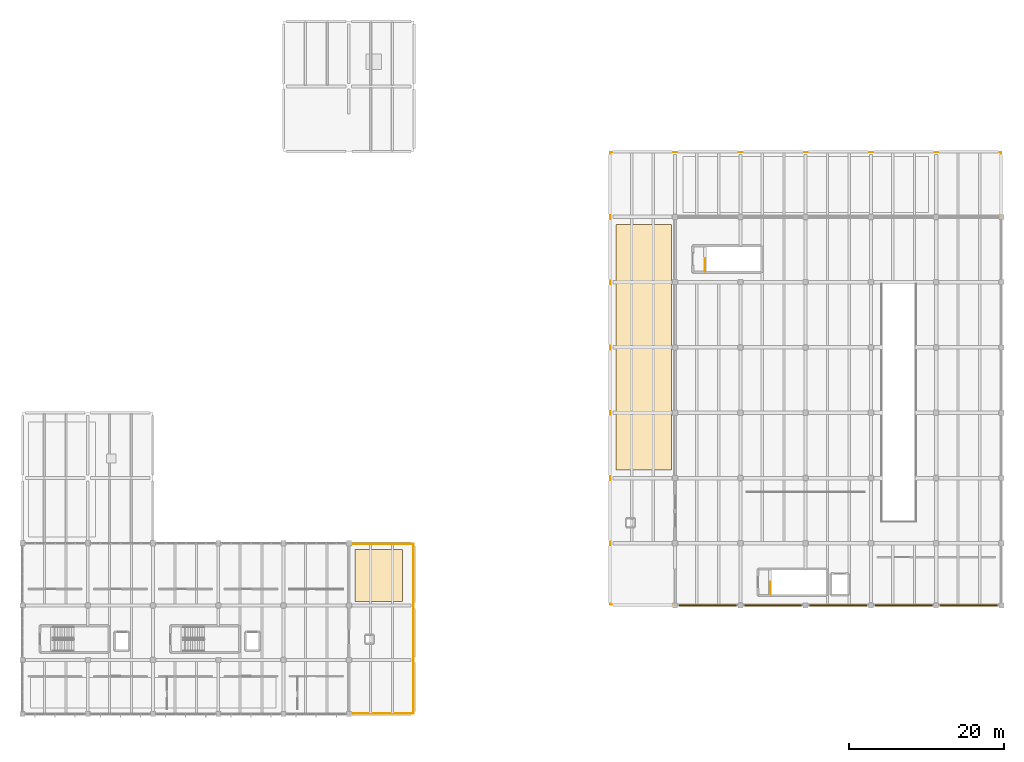
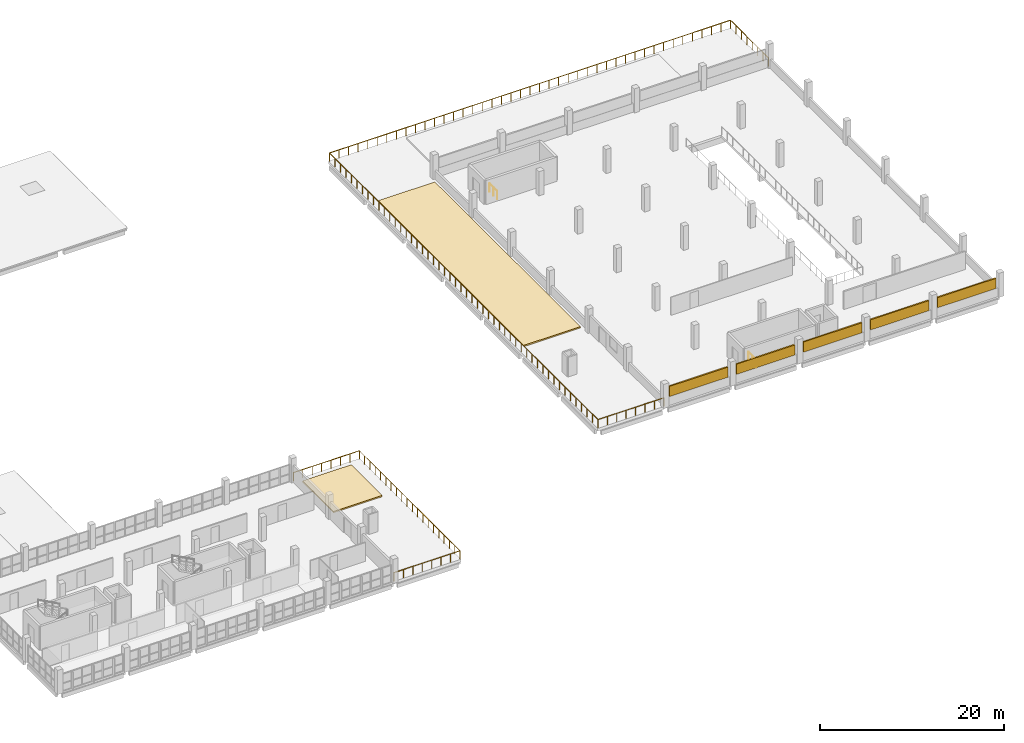
# One storey, part 32 of 33: 5 shading devices, 4 railings, 2 coverings.
"""IFC4 building model written with IfcOpenShell, lengths in metres."""

from ifc_helpers import new_model, si_unit, direction, frame, origin, origin_2d, place, context, subcontext, project, spatial, polyline, rectangle, circle, outline, extrude, material, layer, layer_set, type_object, element, save


model = new_model("IFC4")

# Units and contexts
model_context = context("Model", 3, precision=1e-05, world=origin(), true_north=direction((0.0, 1.0)))
body_context = subcontext(model_context, "Body", "Model", "MODEL_VIEW")
ifc_project = project(units=[si_unit("LENGTHUNIT", "METRE"), si_unit("AREAUNIT", "SQUARE_METRE"), si_unit("VOLUMEUNIT", "CUBIC_METRE"), si_unit("PLANEANGLEUNIT", "RADIAN"), si_unit("MASSUNIT", "GRAM", prefix="KILO"), si_unit("THERMODYNAMICTEMPERATUREUNIT", "KELVIN"), si_unit("POWERUNIT", "WATT")], contexts=[model_context])

# Site, building, storey
site_placement = place(None, origin())
site = spatial("IfcSite", under=ifc_project, at=site_placement, CompositionType="ELEMENT")
building_placement = place(site_placement, origin())
building = spatial("IfcBuilding", under=site, at=building_placement, Name="Mavoryth Pier Ferry Terminal", CompositionType="ELEMENT")
storey_placement = place(building_placement, frame((0.0, 0.0, 13.1201171875)))
storey = spatial("IfcBuildingStorey", under=building, at=storey_placement, Name="L03", CompositionType="ELEMENT", Elevation=13.1201171875)

# Railings
ifc_material_1 = material(Name="Painted Galvanised Steel Balustrade", Category="steel")
railing_type_1 = type_object("IfcRailingType", Name="Guard-Stair-Steel1100", PredefinedType="GUARDRAIL", material=ifc_material_1)
railing_1_placement = place(storey_placement, frame((138.25, 15.39990234375, 0.0)))
element("IfcRailing", 1, at=railing_1_placement, inside=storey, type_object=railing_type_1, Name="L03 ST09 top well guard 1", PredefinedType="GUARDRAIL", context=body_context, shape_type="SweptSolid", body=[
    extrude(circle(Radius=0.02392578125, at=origin_2d()), frame((0.0, 0.0, 1.076171875), z_axis=(0.0, 1.0, 0.0), x_axis=(-1.0, 0.0, 0.0)), (0.0, 0.0, 1.0), 1.650146484375),
    extrude(circle(Radius=0.02099609375, at=origin_2d()), origin(), (0.0, 0.0, 1.0), 1.052001953125),
    extrude(circle(Radius=0.02099609375, at=origin_2d()), frame((0.0, 0.8251953125, 0.0)), (0.0, 0.0, 1.0), 1.052001953125),
    extrude(circle(Radius=0.02099609375, at=origin_2d()), frame((0.0, 1.650146484375, 0.0)), (0.0, 0.0, 1.0), 1.052001953125),
])
railing_2_placement = place(storey_placement, frame((129.85009765625, 57.0, 0.0)))
element("IfcRailing", 2, at=railing_2_placement, inside=storey, type_object=railing_type_1, Name="L03 ST10 top well guard 1", PredefinedType="GUARDRAIL", context=body_context, shape_type="SweptSolid", body=[
    extrude(circle(Radius=0.02392578125, at=origin_2d()), frame((0.0, 0.0, 1.076171875), z_axis=(0.0, 1.0, 0.0), x_axis=(-1.0, 0.0, 0.0)), (0.0, 0.0, 1.0), 1.64990234375),
    extrude(circle(Radius=0.02099609375, at=origin_2d()), origin(), (0.0, 0.0, 1.0), 1.052001953125),
    extrude(circle(Radius=0.02099609375, at=origin_2d()), frame((0.0, 0.824951171875, 0.0)), (0.0, 0.0, 1.0), 1.052001953125),
    extrude(circle(Radius=0.02099609375, at=origin_2d()), frame((0.0, 1.64990234375, 0.0)), (0.0, 0.0, 1.0), 1.052001953125),
])
ifc_material_2 = material(Name="Stainless Steel and Laminated Glass Guardrail", Category="steel")
railing_type_2 = type_object("IfcRailingType", Name="Guard-Terrace-Glass1120", PredefinedType="GUARDRAIL", material=ifc_material_2)
railing_3_placement = place(storey_placement, frame((125.949951171875, 14.080078125, 0.0)))
element("IfcRailing", 3, at=railing_3_placement, inside=storey, type_object=railing_type_2, Name="Guardrail GRD-L03-007", PredefinedType="GUARDRAIL", context=body_context, shape_type="SweptSolid", body=[
    extrude(circle(Radius=0.02392578125, at=origin_2d()), frame((0.0, 0.0, 1.09619140625), z_axis=(-1.0, 0.0, 0.0), x_axis=(0.0, -1.0, 0.0)), (0.0, 0.0, 1.0), 8.27001953125),
    extrude(circle(Radius=0.02392578125, at=origin_2d()), frame((-8.27001953125, 0.0, 1.09619140625), z_axis=(0.0, 1.0, 0.0), x_axis=(-1.0, 0.0, 0.0)), (0.0, 0.0, 1.0), 58.239990234375),
    extrude(circle(Radius=0.02392578125, at=origin_2d()), frame((-8.27001953125, 58.239990234375, 1.09619140625), z_axis=(1.0, 0.0, 0.0), x_axis=(0.0, 1.0, 0.0)), (0.0, 0.0, 1.0), 50.239990234375),
    extrude(circle(Radius=0.02392578125, at=origin_2d()), frame((41.969970703125, 58.239990234375, 1.09619140625), z_axis=(0.0, -1.0, 0.0), x_axis=(1.0, 0.0, 0.0)), (0.0, 0.0, 1.0), 8.27001953125),
    extrude(circle(Radius=0.02099609375, at=origin_2d()), origin(), (0.0, 0.0, 1.0), 1.072021484375),
    extrude(circle(Radius=0.02099609375, at=origin_2d()), frame((-1.181396484375, 0.0, 0.0)), (0.0, 0.0, 1.0), 1.072021484375),
    extrude(circle(Radius=0.02099609375, at=origin_2d()), frame((-2.36279296875, 0.0, 0.0)), (0.0, 0.0, 1.0), 1.072021484375),
    extrude(circle(Radius=0.02099609375, at=origin_2d()), frame((-3.544189453125, 0.0, 0.0)), (0.0, 0.0, 1.0), 1.072021484375),
    extrude(circle(Radius=0.02099609375, at=origin_2d()), frame((-4.725830078125, 0.0, 0.0)), (0.0, 0.0, 1.0), 1.072021484375),
    extrude(circle(Radius=0.02099609375, at=origin_2d()), frame((-5.9072265625, 0.0, 0.0)), (0.0, 0.0, 1.0), 1.072021484375),
    extrude(circle(Radius=0.02099609375, at=origin_2d()), frame((-7.088623046875, 0.0, 0.0)), (0.0, 0.0, 1.0), 1.072021484375),
    extrude(circle(Radius=0.02099609375, at=origin_2d()), frame((-8.27001953125, 0.0, 0.0)), (0.0, 0.0, 1.0), 1.072021484375),
    extrude(circle(Radius=0.02099609375, at=origin_2d()), frame((-8.27001953125, 1.1884765625, 0.0)), (0.0, 0.0, 1.0), 1.072021484375),
    extrude(circle(Radius=0.02099609375, at=origin_2d()), frame((-8.27001953125, 2.377197265625, 0.0)), (0.0, 0.0, 1.0), 1.072021484375),
    extrude(circle(Radius=0.02099609375, at=origin_2d()), frame((-8.27001953125, 3.565673828125, 0.0)), (0.0, 0.0, 1.0), 1.072021484375),
    extrude(circle(Radius=0.02099609375, at=origin_2d()), frame((-8.27001953125, 4.75439453125, 0.0)), (0.0, 0.0, 1.0), 1.072021484375),
    extrude(circle(Radius=0.02099609375, at=origin_2d()), frame((-8.27001953125, 5.94287109375, 0.0)), (0.0, 0.0, 1.0), 1.072021484375),
    extrude(circle(Radius=0.02099609375, at=origin_2d()), frame((-8.27001953125, 7.13134765625, 0.0)), (0.0, 0.0, 1.0), 1.072021484375),
    extrude(circle(Radius=0.02099609375, at=origin_2d()), frame((-8.27001953125, 8.320068359375, 0.0)), (0.0, 0.0, 1.0), 1.072021484375),
    extrude(circle(Radius=0.02099609375, at=origin_2d()), frame((-8.27001953125, 9.508544921875, 0.0)), (0.0, 0.0, 1.0), 1.072021484375),
    extrude(circle(Radius=0.02099609375, at=origin_2d()), frame((-8.27001953125, 10.697021484375, 0.0)), (0.0, 0.0, 1.0), 1.072021484375),
    extrude(circle(Radius=0.02099609375, at=origin_2d()), frame((-8.27001953125, 11.8857421875, 0.0)), (0.0, 0.0, 1.0), 1.072021484375),
    extrude(circle(Radius=0.02099609375, at=origin_2d()), frame((-8.27001953125, 13.07421875, 0.0)), (0.0, 0.0, 1.0), 1.072021484375),
    extrude(circle(Radius=0.02099609375, at=origin_2d()), frame((-8.27001953125, 14.262939453125, 0.0)), (0.0, 0.0, 1.0), 1.072021484375),
    extrude(circle(Radius=0.02099609375, at=origin_2d()), frame((-8.27001953125, 15.451416015625, 0.0)), (0.0, 0.0, 1.0), 1.072021484375),
    extrude(circle(Radius=0.02099609375, at=origin_2d()), frame((-8.27001953125, 16.639892578125, 0.0)), (0.0, 0.0, 1.0), 1.072021484375),
    extrude(circle(Radius=0.02099609375, at=origin_2d()), frame((-8.27001953125, 17.82861328125, 0.0)), (0.0, 0.0, 1.0), 1.072021484375),
    extrude(circle(Radius=0.02099609375, at=origin_2d()), frame((-8.27001953125, 19.01708984375, 0.0)), (0.0, 0.0, 1.0), 1.072021484375),
    extrude(circle(Radius=0.02099609375, at=origin_2d()), frame((-8.27001953125, 20.205810546875, 0.0)), (0.0, 0.0, 1.0), 1.072021484375),
    extrude(circle(Radius=0.02099609375, at=origin_2d()), frame((-8.27001953125, 21.394287109375, 0.0)), (0.0, 0.0, 1.0), 1.072021484375),
    extrude(circle(Radius=0.02099609375, at=origin_2d()), frame((-8.27001953125, 22.582763671875, 0.0)), (0.0, 0.0, 1.0), 1.072021484375),
    extrude(circle(Radius=0.02099609375, at=origin_2d()), frame((-8.27001953125, 23.771484375, 0.0)), (0.0, 0.0, 1.0), 1.072021484375),
    extrude(circle(Radius=0.02099609375, at=origin_2d()), frame((-8.27001953125, 24.9599609375, 0.0)), (0.0, 0.0, 1.0), 1.072021484375),
    extrude(circle(Radius=0.02099609375, at=origin_2d()), frame((-8.27001953125, 26.148681640625, 0.0)), (0.0, 0.0, 1.0), 1.072021484375),
    extrude(circle(Radius=0.02099609375, at=origin_2d()), frame((-8.27001953125, 27.337158203125, 0.0)), (0.0, 0.0, 1.0), 1.072021484375),
    extrude(circle(Radius=0.02099609375, at=origin_2d()), frame((-8.27001953125, 28.525634765625, 0.0)), (0.0, 0.0, 1.0), 1.072021484375),
    extrude(circle(Radius=0.02099609375, at=origin_2d()), frame((-8.27001953125, 29.71435546875, 0.0)), (0.0, 0.0, 1.0), 1.072021484375),
    extrude(circle(Radius=0.02099609375, at=origin_2d()), frame((-8.27001953125, 30.90283203125, 0.0)), (0.0, 0.0, 1.0), 1.072021484375),
    extrude(circle(Radius=0.02099609375, at=origin_2d()), frame((-8.27001953125, 32.09130859375, 0.0)), (0.0, 0.0, 1.0), 1.072021484375),
    extrude(circle(Radius=0.02099609375, at=origin_2d()), frame((-8.27001953125, 33.280029296875, 0.0)), (0.0, 0.0, 1.0), 1.072021484375),
    extrude(circle(Radius=0.02099609375, at=origin_2d()), frame((-8.27001953125, 34.468505859375, 0.0)), (0.0, 0.0, 1.0), 1.072021484375),
    extrude(circle(Radius=0.02099609375, at=origin_2d()), frame((-8.27001953125, 35.6572265625, 0.0)), (0.0, 0.0, 1.0), 1.072021484375),
    extrude(circle(Radius=0.02099609375, at=origin_2d()), frame((-8.27001953125, 36.845703125, 0.0)), (0.0, 0.0, 1.0), 1.072021484375),
    extrude(circle(Radius=0.02099609375, at=origin_2d()), frame((-8.27001953125, 38.0341796875, 0.0)), (0.0, 0.0, 1.0), 1.072021484375),
    extrude(circle(Radius=0.02099609375, at=origin_2d()), frame((-8.27001953125, 39.222900390625, 0.0)), (0.0, 0.0, 1.0), 1.072021484375),
    extrude(circle(Radius=0.02099609375, at=origin_2d()), frame((-8.27001953125, 40.411376953125, 0.0)), (0.0, 0.0, 1.0), 1.072021484375),
    extrude(circle(Radius=0.02099609375, at=origin_2d()), frame((-8.27001953125, 41.60009765625, 0.0)), (0.0, 0.0, 1.0), 1.072021484375),
    extrude(circle(Radius=0.02099609375, at=origin_2d()), frame((-8.27001953125, 42.78857421875, 0.0)), (0.0, 0.0, 1.0), 1.072021484375),
    extrude(circle(Radius=0.02099609375, at=origin_2d()), frame((-8.27001953125, 43.97705078125, 0.0)), (0.0, 0.0, 1.0), 1.072021484375),
    extrude(circle(Radius=0.02099609375, at=origin_2d()), frame((-8.27001953125, 45.165771484375, 0.0)), (0.0, 0.0, 1.0), 1.072021484375),
    extrude(circle(Radius=0.02099609375, at=origin_2d()), frame((-8.27001953125, 46.354248046875, 0.0)), (0.0, 0.0, 1.0), 1.072021484375),
    extrude(circle(Radius=0.02099609375, at=origin_2d()), frame((-8.27001953125, 47.54296875, 0.0)), (0.0, 0.0, 1.0), 1.072021484375),
    extrude(circle(Radius=0.02099609375, at=origin_2d()), frame((-8.27001953125, 48.7314453125, 0.0)), (0.0, 0.0, 1.0), 1.072021484375),
    extrude(circle(Radius=0.02099609375, at=origin_2d()), frame((-8.27001953125, 49.919921875, 0.0)), (0.0, 0.0, 1.0), 1.072021484375),
    extrude(circle(Radius=0.02099609375, at=origin_2d()), frame((-8.27001953125, 51.108642578125, 0.0)), (0.0, 0.0, 1.0), 1.072021484375),
    extrude(circle(Radius=0.02099609375, at=origin_2d()), frame((-8.27001953125, 52.297119140625, 0.0)), (0.0, 0.0, 1.0), 1.072021484375),
    extrude(circle(Radius=0.02099609375, at=origin_2d()), frame((-8.27001953125, 53.485595703125, 0.0)), (0.0, 0.0, 1.0), 1.072021484375),
    extrude(circle(Radius=0.02099609375, at=origin_2d()), frame((-8.27001953125, 54.67431640625, 0.0)), (0.0, 0.0, 1.0), 1.072021484375),
    extrude(circle(Radius=0.02099609375, at=origin_2d()), frame((-8.27001953125, 55.86279296875, 0.0)), (0.0, 0.0, 1.0), 1.072021484375),
    extrude(circle(Radius=0.02099609375, at=origin_2d()), frame((-8.27001953125, 57.051513671875, 0.0)), (0.0, 0.0, 1.0), 1.072021484375),
    extrude(circle(Radius=0.02099609375, at=origin_2d()), frame((-8.27001953125, 58.239990234375, 0.0)), (0.0, 0.0, 1.0), 1.072021484375),
    extrude(circle(Radius=0.02099609375, at=origin_2d()), frame((-7.07373046875, 58.239990234375, 0.0)), (0.0, 0.0, 1.0), 1.072021484375),
    extrude(circle(Radius=0.02099609375, at=origin_2d()), frame((-5.877685546875, 58.239990234375, 0.0)), (0.0, 0.0, 1.0), 1.072021484375),
    extrude(circle(Radius=0.02099609375, at=origin_2d()), frame((-4.681396484375, 58.239990234375, 0.0)), (0.0, 0.0, 1.0), 1.072021484375),
    extrude(circle(Radius=0.02099609375, at=origin_2d()), frame((-3.4853515625, 58.239990234375, 0.0)), (0.0, 0.0, 1.0), 1.072021484375),
    extrude(circle(Radius=0.02099609375, at=origin_2d()), frame((-2.2890625, 58.239990234375, 0.0)), (0.0, 0.0, 1.0), 1.072021484375),
    extrude(circle(Radius=0.02099609375, at=origin_2d()), frame((-1.0927734375, 58.239990234375, 0.0)), (0.0, 0.0, 1.0), 1.072021484375),
    extrude(circle(Radius=0.02099609375, at=origin_2d()), frame((0.103271484375, 58.239990234375, 0.0)), (0.0, 0.0, 1.0), 1.072021484375),
    extrude(circle(Radius=0.02099609375, at=origin_2d()), frame((1.299560546875, 58.239990234375, 0.0)), (0.0, 0.0, 1.0), 1.072021484375),
    extrude(circle(Radius=0.02099609375, at=origin_2d()), frame((2.49560546875, 58.239990234375, 0.0)), (0.0, 0.0, 1.0), 1.072021484375),
    extrude(circle(Radius=0.02099609375, at=origin_2d()), frame((3.69189453125, 58.239990234375, 0.0)), (0.0, 0.0, 1.0), 1.072021484375),
    extrude(circle(Radius=0.02099609375, at=origin_2d()), frame((4.88818359375, 58.239990234375, 0.0)), (0.0, 0.0, 1.0), 1.072021484375),
    extrude(circle(Radius=0.02099609375, at=origin_2d()), frame((6.084228515625, 58.239990234375, 0.0)), (0.0, 0.0, 1.0), 1.072021484375),
    extrude(circle(Radius=0.02099609375, at=origin_2d()), frame((7.280517578125, 58.239990234375, 0.0)), (0.0, 0.0, 1.0), 1.072021484375),
    extrude(circle(Radius=0.02099609375, at=origin_2d()), frame((8.4765625, 58.239990234375, 0.0)), (0.0, 0.0, 1.0), 1.072021484375),
    extrude(circle(Radius=0.02099609375, at=origin_2d()), frame((9.6728515625, 58.239990234375, 0.0)), (0.0, 0.0, 1.0), 1.072021484375),
    extrude(circle(Radius=0.02099609375, at=origin_2d()), frame((10.869140625, 58.239990234375, 0.0)), (0.0, 0.0, 1.0), 1.072021484375),
    extrude(circle(Radius=0.02099609375, at=origin_2d()), frame((12.065185546875, 58.239990234375, 0.0)), (0.0, 0.0, 1.0), 1.072021484375),
    extrude(circle(Radius=0.02099609375, at=origin_2d()), frame((13.261474609375, 58.239990234375, 0.0)), (0.0, 0.0, 1.0), 1.072021484375),
    extrude(circle(Radius=0.02099609375, at=origin_2d()), frame((14.45751953125, 58.239990234375, 0.0)), (0.0, 0.0, 1.0), 1.072021484375),
    extrude(circle(Radius=0.02099609375, at=origin_2d()), frame((15.65380859375, 58.239990234375, 0.0)), (0.0, 0.0, 1.0), 1.072021484375),
    extrude(circle(Radius=0.02099609375, at=origin_2d()), frame((16.85009765625, 58.239990234375, 0.0)), (0.0, 0.0, 1.0), 1.072021484375),
    extrude(circle(Radius=0.02099609375, at=origin_2d()), frame((18.046142578125, 58.239990234375, 0.0)), (0.0, 0.0, 1.0), 1.072021484375),
    extrude(circle(Radius=0.02099609375, at=origin_2d()), frame((19.242431640625, 58.239990234375, 0.0)), (0.0, 0.0, 1.0), 1.072021484375),
    extrude(circle(Radius=0.02099609375, at=origin_2d()), frame((20.4384765625, 58.239990234375, 0.0)), (0.0, 0.0, 1.0), 1.072021484375),
    extrude(circle(Radius=0.02099609375, at=origin_2d()), frame((21.634765625, 58.239990234375, 0.0)), (0.0, 0.0, 1.0), 1.072021484375),
    extrude(circle(Radius=0.02099609375, at=origin_2d()), frame((22.830810546875, 58.239990234375, 0.0)), (0.0, 0.0, 1.0), 1.072021484375),
    extrude(circle(Radius=0.02099609375, at=origin_2d()), frame((24.027099609375, 58.239990234375, 0.0)), (0.0, 0.0, 1.0), 1.072021484375),
    extrude(circle(Radius=0.02099609375, at=origin_2d()), frame((25.223388671875, 58.239990234375, 0.0)), (0.0, 0.0, 1.0), 1.072021484375),
    extrude(circle(Radius=0.02099609375, at=origin_2d()), frame((26.41943359375, 58.239990234375, 0.0)), (0.0, 0.0, 1.0), 1.072021484375),
    extrude(circle(Radius=0.02099609375, at=origin_2d()), frame((27.61572265625, 58.239990234375, 0.0)), (0.0, 0.0, 1.0), 1.072021484375),
    extrude(circle(Radius=0.02099609375, at=origin_2d()), frame((28.811767578125, 58.239990234375, 0.0)), (0.0, 0.0, 1.0), 1.072021484375),
    extrude(circle(Radius=0.02099609375, at=origin_2d()), frame((30.008056640625, 58.239990234375, 0.0)), (0.0, 0.0, 1.0), 1.072021484375),
    extrude(circle(Radius=0.02099609375, at=origin_2d()), frame((31.204345703125, 58.239990234375, 0.0)), (0.0, 0.0, 1.0), 1.072021484375),
    extrude(circle(Radius=0.02099609375, at=origin_2d()), frame((32.400390625, 58.239990234375, 0.0)), (0.0, 0.0, 1.0), 1.072021484375),
    extrude(circle(Radius=0.02099609375, at=origin_2d()), frame((33.5966796875, 58.239990234375, 0.0)), (0.0, 0.0, 1.0), 1.072021484375),
    extrude(circle(Radius=0.02099609375, at=origin_2d()), frame((34.792724609375, 58.239990234375, 0.0)), (0.0, 0.0, 1.0), 1.072021484375),
    extrude(circle(Radius=0.02099609375, at=origin_2d()), frame((35.989013671875, 58.239990234375, 0.0)), (0.0, 0.0, 1.0), 1.072021484375),
    extrude(circle(Radius=0.02099609375, at=origin_2d()), frame((37.185302734375, 58.239990234375, 0.0)), (0.0, 0.0, 1.0), 1.072021484375),
    extrude(circle(Radius=0.02099609375, at=origin_2d()), frame((38.38134765625, 58.239990234375, 0.0)), (0.0, 0.0, 1.0), 1.072021484375),
    extrude(circle(Radius=0.02099609375, at=origin_2d()), frame((39.57763671875, 58.239990234375, 0.0)), (0.0, 0.0, 1.0), 1.072021484375),
    extrude(circle(Radius=0.02099609375, at=origin_2d()), frame((40.773681640625, 58.239990234375, 0.0)), (0.0, 0.0, 1.0), 1.072021484375),
    extrude(circle(Radius=0.02099609375, at=origin_2d()), frame((41.969970703125, 58.239990234375, 0.0)), (0.0, 0.0, 1.0), 1.072021484375),
    extrude(circle(Radius=0.02099609375, at=origin_2d()), frame((41.969970703125, 57.05859375, 0.0)), (0.0, 0.0, 1.0), 1.072021484375),
    extrude(circle(Radius=0.02099609375, at=origin_2d()), frame((41.969970703125, 55.877197265625, 0.0)), (0.0, 0.0, 1.0), 1.072021484375),
    extrude(circle(Radius=0.02099609375, at=origin_2d()), frame((41.969970703125, 54.69580078125, 0.0)), (0.0, 0.0, 1.0), 1.072021484375),
    extrude(circle(Radius=0.02099609375, at=origin_2d()), frame((41.969970703125, 53.51416015625, 0.0)), (0.0, 0.0, 1.0), 1.072021484375),
    extrude(circle(Radius=0.02099609375, at=origin_2d()), frame((41.969970703125, 52.332763671875, 0.0)), (0.0, 0.0, 1.0), 1.072021484375),
    extrude(circle(Radius=0.02099609375, at=origin_2d()), frame((41.969970703125, 51.1513671875, 0.0)), (0.0, 0.0, 1.0), 1.072021484375),
    extrude(circle(Radius=0.02099609375, at=origin_2d()), frame((41.969970703125, 49.969970703125, 0.0)), (0.0, 0.0, 1.0), 1.072021484375),
])
railing_4_placement = place(storey_placement, frame((84.050048828125, 0.080078125, 0.0)))
element("IfcRailing", 4, at=railing_4_placement, inside=storey, type_object=railing_type_2, Name="Guardrail GRD-L03-023", PredefinedType="GUARDRAIL", context=body_context, shape_type="SweptSolid", body=[
    extrude(circle(Radius=0.02392578125, at=origin_2d()), frame((0.0, 0.0, 1.09619140625), z_axis=(1.0, 0.0, 0.0), x_axis=(0.0, 1.0, 0.0)), (0.0, 0.0, 1.0), 8.27001953125),
    extrude(circle(Radius=0.02392578125, at=origin_2d()), frame((8.27001953125, 0.0, 1.09619140625), z_axis=(0.0, 1.0, 0.0), x_axis=(-1.0, 0.0, 0.0)), (0.0, 0.0, 1.0), 21.83984375),
    extrude(circle(Radius=0.02392578125, at=origin_2d()), frame((8.27001953125, 21.83984375, 1.09619140625), z_axis=(-1.0, 0.0, 0.0), x_axis=(0.0, -1.0, 0.0)), (0.0, 0.0, 1.0), 8.27001953125),
    extrude(circle(Radius=0.02099609375, at=origin_2d()), origin(), (0.0, 0.0, 1.0), 1.072021484375),
    extrude(circle(Radius=0.02099609375, at=origin_2d()), frame((1.181396484375, 0.0, 0.0)), (0.0, 0.0, 1.0), 1.072021484375),
    extrude(circle(Radius=0.02099609375, at=origin_2d()), frame((2.36279296875, 0.0, 0.0)), (0.0, 0.0, 1.0), 1.072021484375),
    extrude(circle(Radius=0.02099609375, at=origin_2d()), frame((3.544189453125, 0.0, 0.0)), (0.0, 0.0, 1.0), 1.072021484375),
    extrude(circle(Radius=0.02099609375, at=origin_2d()), frame((4.725830078125, 0.0, 0.0)), (0.0, 0.0, 1.0), 1.072021484375),
    extrude(circle(Radius=0.02099609375, at=origin_2d()), frame((5.9072265625, 0.0, 0.0)), (0.0, 0.0, 1.0), 1.072021484375),
    extrude(circle(Radius=0.02099609375, at=origin_2d()), frame((7.088623046875, 0.0, 0.0)), (0.0, 0.0, 1.0), 1.072021484375),
    extrude(circle(Radius=0.02099609375, at=origin_2d()), frame((8.27001953125, 0.0, 0.0)), (0.0, 0.0, 1.0), 1.072021484375),
    extrude(circle(Radius=0.02099609375, at=origin_2d()), frame((8.27001953125, 1.1494140625, 0.0)), (0.0, 0.0, 1.0), 1.072021484375),
    extrude(circle(Radius=0.02099609375, at=origin_2d()), frame((8.27001953125, 2.298828125, 0.0)), (0.0, 0.0, 1.0), 1.072021484375),
    extrude(circle(Radius=0.02099609375, at=origin_2d()), frame((8.27001953125, 3.448486328125, 0.0)), (0.0, 0.0, 1.0), 1.072021484375),
    extrude(circle(Radius=0.02099609375, at=origin_2d()), frame((8.27001953125, 4.597900390625, 0.0)), (0.0, 0.0, 1.0), 1.072021484375),
    extrude(circle(Radius=0.02099609375, at=origin_2d()), frame((8.27001953125, 5.747314453125, 0.0)), (0.0, 0.0, 1.0), 1.072021484375),
    extrude(circle(Radius=0.02099609375, at=origin_2d()), frame((8.27001953125, 6.896728515625, 0.0)), (0.0, 0.0, 1.0), 1.072021484375),
    extrude(circle(Radius=0.02099609375, at=origin_2d()), frame((8.27001953125, 8.046142578125, 0.0)), (0.0, 0.0, 1.0), 1.072021484375),
    extrude(circle(Radius=0.02099609375, at=origin_2d()), frame((8.27001953125, 9.19580078125, 0.0)), (0.0, 0.0, 1.0), 1.072021484375),
    extrude(circle(Radius=0.02099609375, at=origin_2d()), frame((8.27001953125, 10.34521484375, 0.0)), (0.0, 0.0, 1.0), 1.072021484375),
    extrude(circle(Radius=0.02099609375, at=origin_2d()), frame((8.27001953125, 11.49462890625, 0.0)), (0.0, 0.0, 1.0), 1.072021484375),
    extrude(circle(Radius=0.02099609375, at=origin_2d()), frame((8.27001953125, 12.64404296875, 0.0)), (0.0, 0.0, 1.0), 1.072021484375),
    extrude(circle(Radius=0.02099609375, at=origin_2d()), frame((8.27001953125, 13.793701171875, 0.0)), (0.0, 0.0, 1.0), 1.072021484375),
    extrude(circle(Radius=0.02099609375, at=origin_2d()), frame((8.27001953125, 14.943115234375, 0.0)), (0.0, 0.0, 1.0), 1.072021484375),
    extrude(circle(Radius=0.02099609375, at=origin_2d()), frame((8.27001953125, 16.092529296875, 0.0)), (0.0, 0.0, 1.0), 1.072021484375),
    extrude(circle(Radius=0.02099609375, at=origin_2d()), frame((8.27001953125, 17.241943359375, 0.0)), (0.0, 0.0, 1.0), 1.072021484375),
    extrude(circle(Radius=0.02099609375, at=origin_2d()), frame((8.27001953125, 18.391357421875, 0.0)), (0.0, 0.0, 1.0), 1.072021484375),
    extrude(circle(Radius=0.02099609375, at=origin_2d()), frame((8.27001953125, 19.541015625, 0.0)), (0.0, 0.0, 1.0), 1.072021484375),
    extrude(circle(Radius=0.02099609375, at=origin_2d()), frame((8.27001953125, 20.6904296875, 0.0)), (0.0, 0.0, 1.0), 1.072021484375),
    extrude(circle(Radius=0.02099609375, at=origin_2d()), frame((8.27001953125, 21.83984375, 0.0)), (0.0, 0.0, 1.0), 1.072021484375),
    extrude(circle(Radius=0.02099609375, at=origin_2d()), frame((7.088623046875, 21.83984375, 0.0)), (0.0, 0.0, 1.0), 1.072021484375),
    extrude(circle(Radius=0.02099609375, at=origin_2d()), frame((5.9072265625, 21.83984375, 0.0)), (0.0, 0.0, 1.0), 1.072021484375),
    extrude(circle(Radius=0.02099609375, at=origin_2d()), frame((4.725830078125, 21.83984375, 0.0)), (0.0, 0.0, 1.0), 1.072021484375),
    extrude(circle(Radius=0.02099609375, at=origin_2d()), frame((3.544189453125, 21.83984375, 0.0)), (0.0, 0.0, 1.0), 1.072021484375),
    extrude(circle(Radius=0.02099609375, at=origin_2d()), frame((2.36279296875, 21.83984375, 0.0)), (0.0, 0.0, 1.0), 1.072021484375),
    extrude(circle(Radius=0.02099609375, at=origin_2d()), frame((1.181396484375, 21.83984375, 0.0)), (0.0, 0.0, 1.0), 1.072021484375),
    extrude(circle(Radius=0.02099609375, at=origin_2d()), frame((0.0, 21.83984375, 0.0)), (0.0, 0.0, 1.0), 1.072021484375),
])

# Coverings
ifc_material_3 = material(Name="Mediterranean Extensive Planted Roof Substrate")
ifc_layer = layer(ifc_material_3, 0.179931640625, Name="Mediterranean Extensive Planted Roof Substrate")
ifc_layer_set = layer_set([ifc_layer], Name="Mediterranean Extensive Planted Roof Substrate - Roof-PlantedGarden-180")
covering_type = type_object("IfcCoveringType", Name="Roof-PlantedGarden-180", PredefinedType="ROOFING", material=ifc_layer_set)
covering_1_placement = place(storey_placement, origin())
element("IfcCovering", 5, at=covering_1_placement, inside=storey, type_object=covering_type, Name="Covering COV-L03-018", PredefinedType="ROOFING", context=body_context, shape_type="SweptSolid", body=[
    extrude(outline(polyline([(118.39990234375, 31.39990234375), (125.5, 31.39990234375), (125.5, 63.0), (118.39990234375, 63.0), (118.39990234375, 31.39990234375)])), origin(), (0.0, 0.0, 1.0), 0.179931640625),
])
covering_2_placement = place(storey_placement, origin())
element("IfcCovering", 6, at=covering_2_placement, inside=storey, type_object=covering_type, Name="Covering COV-L03-020", PredefinedType="ROOFING", context=body_context, shape_type="SweptSolid", body=[
    extrude(outline(polyline([(84.800048828125, 14.5), (90.89990234375, 14.5), (90.89990234375, 21.199951171875), (84.800048828125, 21.199951171875), (84.800048828125, 14.5)])), origin(), (0.0, 0.0, 1.0), 0.179931640625),
])

# Shading devices
ifc_material_4 = material(Name="Perforated Glazed Ceramic Solar Screen")
shading_device_type = type_object("IfcShadingDeviceType", Name="Screen-Ceramic-Bay6400x1700", PredefinedType="JALOUSIE", material=ifc_material_4)
for number, where, z_axis, x_axis, name in (
    (7, (130.199951171875, 14.0, 1.14990234375), (0.0, 0.0, 1.0), (1.0, 0.0, 0.0), "Perforated Glazed Ceramic Solar Screen 27"),
    (8, (138.60009765625, 14.0, 1.14990234375), (0.0, 0.0, 1.0), (1.0, 0.0, 0.0), "Perforated Glazed Ceramic Solar Screen 29"),
    (9, (147.0, 14.0, 1.14990234375), (0.0, 0.0, 1.0), (1.0, 0.0, 0.0), "Perforated Glazed Ceramic Solar Screen 31"),
    (10, (155.39990234375, 14.0, 1.14990234375), (0.0, 0.0, 1.0), (1.0, 0.0, 0.0), "Perforated Glazed Ceramic Solar Screen 33"),
    (11, (163.800048828125, 14.0, 1.14990234375), (0.0, 0.0, 1.0), (1.0, 0.0, 0.0), "Perforated Glazed Ceramic Solar Screen 35"),
):
    element("IfcShadingDevice", number, at=place(storey_placement, frame(where, z_axis=z_axis, x_axis=x_axis)), inside=storey, type_object=shading_device_type, Name=name, PredefinedType="JALOUSIE", context=body_context, shape_type="SweptSolid", body=[
        extrude(rectangle(XDim=7.320068359375, YDim=0.179931640625, at=origin_2d()), origin(), (0.0, 0.0, 1.0), 1.3349609375),
    ])

save(model, "model.ifc")
